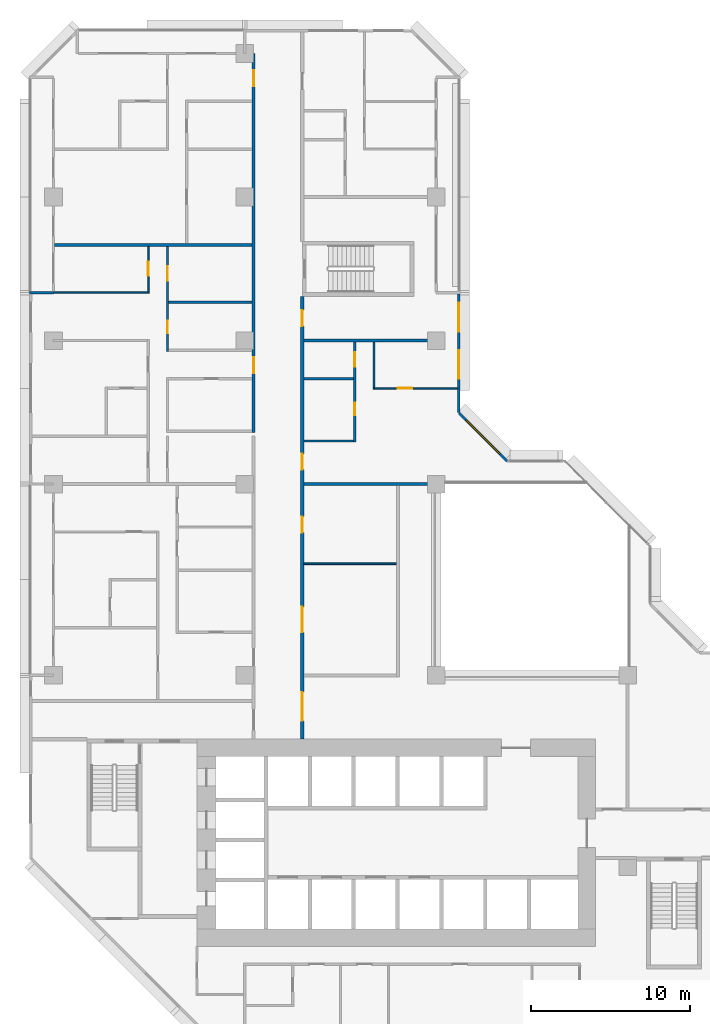
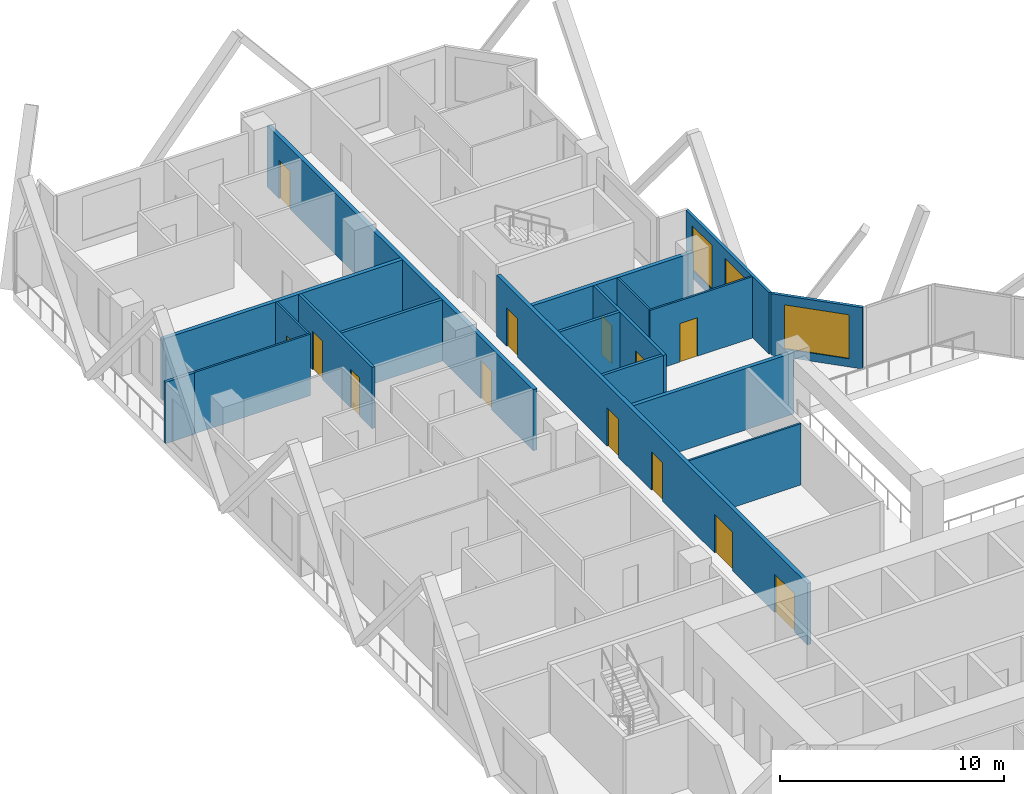
# One storey, part 9 of 15: 18 walls, 13 doors, 3 windows, 16 openings.
"""IFC4 building model written with IfcOpenShell, lengths in metres."""

from ifc_helpers import new_model, si_unit, direction, frame, frame_2d, origin, place, context, subcontext, project, spatial, rectangle, extrude, material, layer, layer_set, type_object, element, fill, save


model = new_model("IFC4")

# Units and contexts
model_context = context("Model", 3, precision=1e-05, world=origin(), true_north=direction((0.0, 1.0)))
body_context = subcontext(model_context, "Body", "Model", "MODEL_VIEW")
ifc_project = project(units=[si_unit("LENGTHUNIT", "METRE"), si_unit("AREAUNIT", "SQUARE_METRE"), si_unit("VOLUMEUNIT", "CUBIC_METRE"), si_unit("PLANEANGLEUNIT", "RADIAN"), si_unit("MASSUNIT", "GRAM", prefix="KILO")], contexts=[model_context])

# Site, building, storey
site_placement = place(None, origin())
site = spatial("IfcSite", under=ifc_project, at=site_placement, CompositionType="ELEMENT")
building_placement = place(site_placement, origin())
building = spatial("IfcBuilding", under=site, at=building_placement, Name="Chenar Terraces", CompositionType="ELEMENT")
storey_placement = place(building_placement, frame((0.0, 0.0, 48.89990234375)))
storey = spatial("IfcBuildingStorey", under=building, at=storey_placement, Name="L09", CompositionType="ELEMENT", Elevation=48.89990234375)

# Wall, openings, doors
ifc_material_1 = material(Name="Gypsum board on steel studs with fire boards", Category="steel")
ifc_layer_1 = layer(ifc_material_1, 0.199951171875)
ifc_layer_set_1 = layer_set([ifc_layer_1], Name="Gypsum board on steel studs with fire boards")
wall_type_1 = type_object("IfcWallType", Name="Corridor wall 200", PredefinedType="PARTITIONING", material=ifc_layer_set_1)
wall_1_placement = place(storey_placement, frame((12.550048828125, 39.22509765625, 0.0), z_axis=(0.0, 0.0, 1.0), x_axis=(0.0, 1.0, 0.0)))
wall_1 = element("IfcWall", 1, at=wall_1_placement, inside=storey, type_object=wall_type_1, Name="Partition L09-042", PredefinedType="PARTITIONING", context=body_context, shape_type="SweptSolid", body=[
    extrude(rectangle(XDim=23.77490234375, YDim=0.199951171875, at=frame_2d((11.887451171875, 0.0))), origin(), (0.0, 0.0, 1.0), 3.35009765625),
])
opening_1_placement = place(wall_1_placement, frame((3.72509765625, 0.0, 0.0)))
opening_1 = element("IfcOpeningElement", 2, at=opening_1_placement, cuts=wall_1, Name="Opening DL09-39", PredefinedType="OPENING", context=body_context, shape_type="SweptSolid", body=[
    extrude(rectangle(XDim=1.0, YDim=2.10009765625, at=frame_2d((0.5, 1.050048828125))), frame((0.0, 0.10986328125, 0.0), z_axis=(0.0, -1.0, 0.0), x_axis=(1.0, 0.0, 0.0)), (0.0, 0.0, 1.0), 0.219970703125),
])
opening_2_placement = place(wall_1_placement, frame((21.72509765625, 0.0, 0.0)))
opening_2 = element("IfcOpeningElement", 3, at=opening_2_placement, cuts=wall_1, Name="Opening DL09-45", PredefinedType="OPENING", context=body_context, shape_type="SweptSolid", body=[
    extrude(rectangle(XDim=1.0, YDim=2.10009765625, at=frame_2d((0.5, 1.050048828125))), frame((0.0, 0.10986328125, 0.0), z_axis=(0.0, -1.0, 0.0), x_axis=(1.0, 0.0, 0.0)), (0.0, 0.0, 1.0), 0.219970703125),
])
ifc_material_2 = material(Name="Steel-framed fire-resisting door leaf", Category="steel")
door_type_1 = type_object("IfcDoorType", Name="Fire door FD30S 1000 x 2100", OperationType="SINGLE_SWING_LEFT", PredefinedType="DOOR", material=ifc_material_2)
door_1_placement = place(opening_1_placement, origin())
door_1 = element("IfcDoor", 4, at=door_1_placement, inside=storey, type_object=door_type_1, Name="Door DL09-39", OperationType="SINGLE_SWING_LEFT", OverallHeight=2.10009765625, OverallWidth=1.0, PredefinedType="DOOR", context=body_context, shape_type="SweptSolid", body=[
    extrude(rectangle(XDim=1.0, YDim=2.10009765625, at=frame_2d((0.5, 1.050048828125))), frame((0.0, 0.02490234375, 0.0), z_axis=(0.0, -1.0, 0.0), x_axis=(1.0, 0.0, 0.0)), (0.0, 0.0, 1.0), 0.050048828125),
])
fill(opening_1, door_1)
door_2_placement = place(opening_2_placement, origin())
door_2 = element("IfcDoor", 5, at=door_2_placement, inside=storey, type_object=door_type_1, Name="Door DL09-45", OperationType="SINGLE_SWING_RIGHT", OverallHeight=2.10009765625, OverallWidth=1.0, PredefinedType="DOOR", context=body_context, shape_type="SweptSolid", body=[
    extrude(rectangle(XDim=1.0, YDim=2.10009765625, at=frame_2d((0.5, 1.050048828125))), frame((0.0, 0.02490234375, 0.0), z_axis=(0.0, -1.0, 0.0), x_axis=(1.0, 0.0, 0.0)), (0.0, 0.0, 1.0), 0.050048828125),
])
fill(opening_2, door_2)

wall_2_placement = place(storey_placement, frame((15.60009765625, 20.0, 0.0), z_axis=(0.0, 0.0, 1.0), x_axis=(0.0, 1.0, 0.0)))
wall_2 = element("IfcWall", 6, at=wall_2_placement, inside=storey, type_object=wall_type_1, Name="Partition L09-044", PredefinedType="PARTITIONING", context=body_context, shape_type="SweptSolid", body=[
    extrude(rectangle(XDim=27.77490234375, YDim=0.199951171875, at=frame_2d((13.887451171875, 0.0))), origin(), (0.0, 0.0, 1.0), 3.35009765625),
])
opening_3_placement = place(wall_2_placement, frame((6.699951171875, 0.0, 0.0)))
opening_3 = element("IfcOpeningElement", 7, at=opening_3_placement, cuts=wall_2, Name="Opening DL09-1", PredefinedType="OPENING", context=body_context, shape_type="SweptSolid", body=[
    extrude(rectangle(XDim=1.60009765625, YDim=2.10009765625, at=frame_2d((0.800048828125, 1.050048828125))), frame((0.0, 0.10986328125, 0.0), z_axis=(0.0, -1.0, 0.0), x_axis=(1.0, 0.0, 0.0)), (0.0, 0.0, 1.0), 0.219970703125),
])
opening_4_placement = place(wall_2_placement, frame((12.949951171875, 0.0, 0.0)))
opening_4 = element("IfcOpeningElement", 8, at=opening_4_placement, cuts=wall_2, Name="Opening DL09-2", PredefinedType="OPENING", context=body_context, shape_type="SweptSolid", body=[
    extrude(rectangle(XDim=1.0, YDim=2.10009765625, at=frame_2d((0.5, 1.050048828125))), frame((0.0, 0.10986328125, 0.0), z_axis=(0.0, -1.0, 0.0), x_axis=(1.0, 0.0, 0.0)), (0.0, 0.0, 1.0), 0.219970703125),
])
opening_5_placement = place(wall_2_placement, frame((16.89990234375, 0.0, 0.0)))
opening_5 = element("IfcOpeningElement", 9, at=opening_5_placement, cuts=wall_2, Name="Opening DL09-26", PredefinedType="OPENING", context=body_context, shape_type="SweptSolid", body=[
    extrude(rectangle(XDim=1.0, YDim=2.10009765625, at=frame_2d((0.5, 1.050048828125))), frame((0.0, 0.10986328125, 0.0), z_axis=(0.0, -1.0, 0.0), x_axis=(1.0, 0.0, 0.0)), (0.0, 0.0, 1.0), 0.219970703125),
])
opening_6_placement = place(wall_2_placement, frame((1.14990234375, 0.0, 0.0)))
opening_6 = element("IfcOpeningElement", 10, at=opening_6_placement, cuts=wall_2, Name="Opening DL09-47", PredefinedType="OPENING", context=body_context, shape_type="SweptSolid", body=[
    extrude(rectangle(XDim=1.800048828125, YDim=2.10009765625, at=frame_2d((0.89990234375, 1.050048828125))), frame((0.0, 0.10986328125, 0.0), z_axis=(0.0, -1.0, 0.0), x_axis=(1.0, 0.0, 0.0)), (0.0, 0.0, 1.0), 0.219970703125),
])
opening_7_placement = place(wall_2_placement, frame((25.89990234375, 0.0, 0.0)))
opening_7 = element("IfcOpeningElement", 11, at=opening_7_placement, cuts=wall_2, Name="Opening DL09-50", PredefinedType="OPENING", context=body_context, shape_type="SweptSolid", body=[
    extrude(rectangle(XDim=1.0, YDim=2.10009765625, at=frame_2d((0.5, 1.050048828125))), frame((0.0, 0.10986328125, 0.0), z_axis=(0.0, -1.0, 0.0), x_axis=(1.0, 0.0, 0.0)), (0.0, 0.0, 1.0), 0.219970703125),
])
ifc_material_3 = material(Name="Steel-framed fire-resisting door leaf", Category="steel")
door_type_2 = type_object("IfcDoorType", Name="Fire door FD60 1000 x 2100", OperationType="SINGLE_SWING_LEFT", PredefinedType="DOOR", material=ifc_material_3)
door_3_placement = place(opening_4_placement, frame((1.0, 0.0, 0.0), z_axis=(0.0, 0.0, 1.0), x_axis=(-1.0, 0.0, 0.0)))
door_3 = element("IfcDoor", 12, at=door_3_placement, inside=storey, type_object=door_type_2, Name="Door DL09-2", OperationType="SINGLE_SWING_LEFT", OverallHeight=2.10009765625, OverallWidth=1.0, PredefinedType="DOOR", context=body_context, shape_type="SweptSolid", body=[
    extrude(rectangle(XDim=1.0, YDim=2.10009765625, at=frame_2d((0.5, 1.050048828125))), frame((0.0, 0.02490234375, 0.0), z_axis=(0.0, -1.0, 0.0), x_axis=(1.0, 0.0, 0.0)), (0.0, 0.0, 1.0), 0.050048828125),
])
fill(opening_4, door_3)
door_4_placement = place(opening_5_placement, frame((1.0, 0.0, 0.0), z_axis=(0.0, 0.0, 1.0), x_axis=(-1.0, 0.0, 0.0)))
door_4 = element("IfcDoor", 13, at=door_4_placement, inside=storey, type_object=door_type_2, Name="Door DL09-26", OperationType="SINGLE_SWING_LEFT", OverallHeight=2.10009765625, OverallWidth=1.0, PredefinedType="DOOR", context=body_context, shape_type="SweptSolid", body=[
    extrude(rectangle(XDim=1.0, YDim=2.10009765625, at=frame_2d((0.5, 1.050048828125))), frame((0.0, 0.02490234375, 0.0), z_axis=(0.0, -1.0, 0.0), x_axis=(1.0, 0.0, 0.0)), (0.0, 0.0, 1.0), 0.050048828125),
])
fill(opening_5, door_4)
door_5_placement = place(opening_7_placement, frame((1.0, 0.0, 0.0), z_axis=(0.0, 0.0, 1.0), x_axis=(-1.0, 0.0, 0.0)))
door_5 = element("IfcDoor", 14, at=door_5_placement, inside=storey, type_object=door_type_2, Name="Door DL09-50", OperationType="SINGLE_SWING_RIGHT", OverallHeight=2.10009765625, OverallWidth=1.0, PredefinedType="DOOR", context=body_context, shape_type="SweptSolid", body=[
    extrude(rectangle(XDim=1.0, YDim=2.10009765625, at=frame_2d((0.5, 1.050048828125))), frame((0.0, 0.02490234375, 0.0), z_axis=(0.0, -1.0, 0.0), x_axis=(1.0, 0.0, 0.0)), (0.0, 0.0, 1.0), 0.050048828125),
])
fill(opening_7, door_5)
ifc_material_4 = material(Name="Steel-framed fire-resisting door leaf", Category="steel")
door_type_3 = type_object("IfcDoorType", Name="Fire double door FD60 1600 x 2100", OperationType="DOUBLE_DOOR_SINGLE_SWING", PredefinedType="DOOR", material=ifc_material_4)
door_6_placement = place(opening_3_placement, frame((1.60009765625, 0.0, 0.0), z_axis=(0.0, 0.0, 1.0), x_axis=(-1.0, 0.0, 0.0)))
door_6 = element("IfcDoor", 15, at=door_6_placement, inside=storey, type_object=door_type_3, Name="Door DL09-1", OperationType="DOUBLE_DOOR_SINGLE_SWING", OverallHeight=2.10009765625, OverallWidth=1.60009765625, PredefinedType="DOOR", context=body_context, shape_type="SweptSolid", body=[
    extrude(rectangle(XDim=1.60009765625, YDim=2.10009765625, at=frame_2d((0.800048828125, 1.050048828125))), frame((0.0, 0.02490234375, 0.0), z_axis=(0.0, -1.0, 0.0), x_axis=(1.0, 0.0, 0.0)), (0.0, 0.0, 1.0), 0.050048828125),
])
fill(opening_3, door_6)
ifc_material_5 = material(Name="Steel-framed fire-resisting door leaf", Category="steel")
door_type_4 = type_object("IfcDoorType", Name="Fire double door FD60 1800 x 2100", OperationType="DOUBLE_DOOR_SINGLE_SWING", PredefinedType="DOOR", material=ifc_material_5)
door_7_placement = place(opening_6_placement, frame((1.800048828125, 0.0, 0.0), z_axis=(0.0, 0.0, 1.0), x_axis=(-1.0, 0.0, 0.0)))
door_7 = element("IfcDoor", 16, at=door_7_placement, inside=storey, type_object=door_type_4, Name="Door DL09-47", OperationType="DOUBLE_DOOR_SINGLE_SWING", OverallHeight=2.10009765625, OverallWidth=1.800048828125, PredefinedType="DOOR", context=body_context, shape_type="SweptSolid", body=[
    extrude(rectangle(XDim=1.800048828125, YDim=2.10009765625, at=frame_2d((0.89990234375, 1.050048828125))), frame((0.0, 0.02490234375, 0.0), z_axis=(0.0, -1.0, 0.0), x_axis=(1.0, 0.0, 0.0)), (0.0, 0.0, 1.0), 0.050048828125),
])
fill(opening_6, door_7)

# Wall, openings, windows
ifc_material_6 = material(Name="Aluminium framed glazing", Category="aluminium")
ifc_layer_2 = layer(ifc_material_6, 0.14990234375)
ifc_layer_set_2 = layer_set([ifc_layer_2], Name="Aluminium framed glazing")
wall_type_2 = type_object("IfcWallType", Name="Glazed flush facade wall 150", PredefinedType="SOLIDWALL", material=ifc_layer_set_2)
wall_3_placement = place(storey_placement, frame((25.425048828125, 40.5, 0.0), z_axis=(0.0, 0.0, 1.0), x_axis=(0.0, 1.0, 0.0)))
wall_3 = element("IfcWall", 17, at=wall_3_placement, inside=storey, type_object=wall_type_2, Name="Glazed flush facade wall", PredefinedType="SOLIDWALL", context=body_context, shape_type="SweptSolid", body=[
    extrude(rectangle(XDim=7.425048828125, YDim=0.14990234375, at=frame_2d((3.71240234375, 0.0))), origin(), (0.0, 0.0, 1.0), 3.35009765625),
])
opening_8_placement = place(wall_3_placement, frame((2.10009765625, 0.0, 0.449951171875)))
opening_8 = element("IfcOpeningElement", 18, at=opening_8_placement, cuts=wall_3, Name="Opening W180x240", PredefinedType="OPENING", context=body_context, shape_type="SweptSolid", body=[
    extrude(rectangle(XDim=1.800048828125, YDim=2.39990234375, at=frame_2d((0.89990234375, 1.199951171875))), frame((0.0, 0.0849609375, 0.0), z_axis=(0.0, -1.0, 0.0), x_axis=(1.0, 0.0, 0.0)), (0.0, 0.0, 1.0), 0.169921875),
])
opening_9_placement = place(wall_3_placement, frame((5.0625, 0.0, 0.449951171875)))
opening_9 = element("IfcOpeningElement", 19, at=opening_9_placement, cuts=wall_3, Name="Opening W180x240", PredefinedType="OPENING", context=body_context, shape_type="SweptSolid", body=[
    extrude(rectangle(XDim=1.800048828125, YDim=2.39990234375, at=frame_2d((0.89990234375, 1.199951171875))), frame((0.0, 0.0849609375, 0.0), z_axis=(0.0, -1.0, 0.0), x_axis=(1.0, 0.0, 0.0)), (0.0, 0.0, 1.0), 0.169921875),
])
ifc_material_7 = material(Name="Low emissivity double glazing, aluminium frame", Category="aluminium")
window_type_1 = type_object("IfcWindowType", Name="Fixed light 1800 x 2400", PartitioningType="SINGLE_PANEL", PredefinedType="WINDOW", material=ifc_material_7)
window_1_placement = place(opening_8_placement, origin())
window_1 = element("IfcWindow", 20, at=window_1_placement, inside=storey, type_object=window_type_1, Name="Window", OverallHeight=2.39990234375, OverallWidth=1.800048828125, PartitioningType="SINGLE_PANEL", PredefinedType="WINDOW", context=body_context, shape_type="SweptSolid", body=[
    extrude(rectangle(XDim=1.800048828125, YDim=2.39990234375, at=frame_2d((0.89990234375, 1.199951171875))), frame((0.0, 0.030029296875, 0.0), z_axis=(0.0, -1.0, 0.0), x_axis=(1.0, 0.0, 0.0)), (0.0, 0.0, 1.0), 0.06005859375),
])
fill(opening_8, window_1)
window_2_placement = place(opening_9_placement, origin())
window_2 = element("IfcWindow", 21, at=window_2_placement, inside=storey, type_object=window_type_1, Name="Window", OverallHeight=2.39990234375, OverallWidth=1.800048828125, PartitioningType="SINGLE_PANEL", PredefinedType="WINDOW", context=body_context, shape_type="SweptSolid", body=[
    extrude(rectangle(XDim=1.800048828125, YDim=2.39990234375, at=frame_2d((0.89990234375, 1.199951171875))), frame((0.0, 0.030029296875, 0.0), z_axis=(0.0, -1.0, 0.0), x_axis=(1.0, 0.0, 0.0)), (0.0, 0.0, 1.0), 0.06005859375),
])
fill(opening_9, window_2)

# Wall
ifc_material_8 = material(Name="Gypsum board on steel studs", Category="steel")
ifc_layer_3 = layer(ifc_material_8, 0.10009765625)
ifc_layer_set_3 = layer_set([ifc_layer_3], Name="Gypsum board on steel studs")
wall_type_3 = type_object("IfcWallType", Name="Gypsum partition 100", PredefinedType="PARTITIONING", material=ifc_layer_set_3)
wall_4_placement = place(storey_placement, frame((0.0, 48.0, 0.0), z_axis=(0.0, 0.0, 1.0), x_axis=(1.0, 0.0, 0.0)))
element("IfcWall", 22, at=wall_4_placement, inside=storey, type_object=wall_type_3, Name="Partition L09-006", PredefinedType="PARTITIONING", context=body_context, shape_type="SweptSolid", body=[
    extrude(rectangle(XDim=6.0, YDim=0.10009765625, at=frame_2d((3.0, 0.0))), origin(), (0.0, 0.0, 1.0), 3.35009765625),
])

# Wall, opening, door
wall_5_placement = place(storey_placement, frame((5.949951171875, 48.050048828125, 0.0), z_axis=(0.0, 0.0, 1.0), x_axis=(0.0, 1.0, 0.0)))
wall_5 = element("IfcWall", 23, at=wall_5_placement, inside=storey, type_object=wall_type_3, Name="Partition L09-019", PredefinedType="PARTITIONING", context=body_context, shape_type="SweptSolid", body=[
    extrude(rectangle(XDim=2.849853515625, YDim=0.10009765625, at=frame_2d((1.4248046875, 0.0))), origin(), (0.0, 0.0, 1.0), 3.35009765625),
])
opening_10_placement = place(wall_5_placement, frame((1.0, 0.0, 0.0)))
opening_10 = element("IfcOpeningElement", 24, at=opening_10_placement, cuts=wall_5, Name="Opening DL09-34", PredefinedType="OPENING", context=body_context, shape_type="SweptSolid", body=[
    extrude(rectangle(XDim=0.89990234375, YDim=2.10009765625, at=frame_2d((0.449951171875, 1.050048828125))), frame((0.0, 0.06005859375, 0.0), z_axis=(0.0, -1.0, 0.0), x_axis=(1.0, 0.0, 0.0)), (0.0, 0.0, 1.0), 0.1201171875),
])
ifc_material_9 = material(Name="Veneered timber door leaf", Category="wood")
door_type_5 = type_object("IfcDoorType", Name="Door 900 x 2100", OperationType="SINGLE_SWING_LEFT", PredefinedType="DOOR", material=ifc_material_9)
door_8_placement = place(opening_10_placement, origin())
door_8 = element("IfcDoor", 25, at=door_8_placement, inside=storey, type_object=door_type_5, Name="Door DL09-34", OperationType="SINGLE_SWING_RIGHT", OverallHeight=2.10009765625, OverallWidth=0.89990234375, PredefinedType="DOOR", context=body_context, shape_type="SweptSolid", body=[
    extrude(rectangle(XDim=0.89990234375, YDim=2.10009765625, at=frame_2d((0.449951171875, 1.050048828125))), frame((0.0, 0.02490234375, 0.0), z_axis=(0.0, -1.0, 0.0), x_axis=(1.0, 0.0, 0.0)), (0.0, 0.0, 1.0), 0.050048828125),
])
fill(opening_10, door_8)

# Wall
wall_6_placement = place(storey_placement, frame((15.699951171875, 31.0, 0.0), z_axis=(0.0, 0.0, 1.0), x_axis=(1.0, 0.0, 0.0)))
element("IfcWall", 26, at=wall_6_placement, inside=storey, type_object=wall_type_3, Name="Partition L09-047", PredefinedType="PARTITIONING", context=body_context, shape_type="SweptSolid", body=[
    extrude(rectangle(XDim=5.800048828125, YDim=0.10009765625, at=frame_2d((2.89990234375, 0.0))), origin(), (0.0, 0.0, 1.0), 3.35009765625),
])

# Wall, opening, door
wall_7_placement = place(storey_placement, frame((20.050048828125, 42.0, 0.0), z_axis=(0.0, 0.0, 1.0), x_axis=(1.0, 0.0, 0.0)))
wall_7 = element("IfcWall", 27, at=wall_7_placement, inside=storey, type_object=wall_type_3, Name="Partition L09-061", PredefinedType="PARTITIONING", context=body_context, shape_type="SweptSolid", body=[
    extrude(rectangle(XDim=5.300048828125, YDim=0.10009765625, at=frame_2d((2.64990234375, 0.0))), origin(), (0.0, 0.0, 1.0), 3.35009765625),
])
opening_11_placement = place(wall_7_placement, frame((1.550048828125, 0.0, 0.0)))
opening_11 = element("IfcOpeningElement", 28, at=opening_11_placement, cuts=wall_7, Name="Opening DL09-24", PredefinedType="OPENING", context=body_context, shape_type="SweptSolid", body=[
    extrude(rectangle(XDim=0.89990234375, YDim=2.10009765625, at=frame_2d((0.449951171875, 1.050048828125))), frame((0.0, 0.06005859375, 0.0), z_axis=(0.0, -1.0, 0.0), x_axis=(1.0, 0.0, 0.0)), (0.0, 0.0, 1.0), 0.1201171875),
])
door_9_placement = place(opening_11_placement, origin())
door_9 = element("IfcDoor", 29, at=door_9_placement, inside=storey, type_object=door_type_5, Name="Door DL09-24", OperationType="SINGLE_SWING_LEFT", OverallHeight=2.10009765625, OverallWidth=0.89990234375, PredefinedType="DOOR", context=body_context, shape_type="SweptSolid", body=[
    extrude(rectangle(XDim=0.89990234375, YDim=2.10009765625, at=frame_2d((0.449951171875, 1.050048828125))), frame((0.0, 0.02490234375, 0.0), z_axis=(0.0, -1.0, 0.0), x_axis=(1.0, 0.0, 0.0)), (0.0, 0.0, 1.0), 0.050048828125),
])
fill(opening_11, door_9)

# Walls
wall_8_placement = place(storey_placement, frame((20.10009765625, 42.050048828125, 0.0), z_axis=(0.0, 0.0, 1.0), x_axis=(0.0, 1.0, 0.0)))
element("IfcWall", 30, at=wall_8_placement, inside=storey, type_object=wall_type_3, Name="Partition L09-062", PredefinedType="PARTITIONING", context=body_context, shape_type="SweptSolid", body=[
    extrude(rectangle(XDim=2.849853515625, YDim=0.10009765625, at=frame_2d((1.4248046875, 0.0))), origin(), (0.0, 0.0, 1.0), 3.35009765625),
])
ifc_material_10 = material(Name="Terracotta cladding on insulated backing", Category="masonry")
ifc_layer_4 = layer(ifc_material_10, 0.14990234375)
ifc_layer_set_4 = layer_set([ifc_layer_4], Name="Terracotta cladding on insulated backing")
wall_type_4 = type_object("IfcWallType", Name="Loggia return wall 150", PredefinedType="SOLIDWALL", material=ifc_layer_set_4)
wall_9_placement = place(storey_placement, frame((-1.5, 48.0, 0.0), z_axis=(0.0, 0.0, 1.0), x_axis=(1.0, 0.0, 0.0)))
element("IfcWall", 31, at=wall_9_placement, inside=storey, type_object=wall_type_4, Name="Loggia return wall", PredefinedType="SOLIDWALL", context=body_context, shape_type="SweptSolid", body=[
    extrude(rectangle(XDim=1.5, YDim=0.14990234375, at=frame_2d((0.75, 0.0))), origin(), (0.0, 0.0, 1.0), 3.35009765625),
])

# Wall, opening, window
ifc_material_11 = material(Name="Terracotta cladding on insulated backing", Category="masonry")
ifc_layer_5 = layer(ifc_material_11, 0.14990234375)
ifc_layer_set_5 = layer_set([ifc_layer_5], Name="Terracotta cladding on insulated backing")
wall_type_5 = type_object("IfcWallType", Name="Terracotta rainscreen wall 150", PredefinedType="SOLIDWALL", material=ifc_layer_set_5)
wall_10_placement = place(storey_placement, frame((28.447021484375, 37.447021484375, 0.0), z_axis=(0.0, 0.0, 1.0), x_axis=(-0.707106781187, 0.707106781187, 0.0)))
wall_10 = element("IfcWall", 32, at=wall_10_placement, inside=storey, type_object=wall_type_5, Name="Terracotta rainscreen wall", PredefinedType="SOLIDWALL", context=body_context, shape_type="SweptSolid", body=[
    extrude(rectangle(XDim=4.24267578125, YDim=0.14990234375, at=frame_2d((2.121337890625, 0.0))), origin(), (0.0, 0.0, 1.0), 3.35009765625),
])
opening_12_placement = place(wall_10_placement, frame((0.621337890625, 0.0, 0.449951171875)))
opening_12 = element("IfcOpeningElement", 33, at=opening_12_placement, cuts=wall_10, Name="Opening W300x240", PredefinedType="OPENING", context=body_context, shape_type="SweptSolid", body=[
    extrude(rectangle(XDim=3.0, YDim=2.39990234375, at=frame_2d((1.5, 1.199951171875))), frame((0.0, 0.0849609375, 0.0), z_axis=(0.0, -1.0, 0.0), x_axis=(1.0, 0.0, 0.0)), (0.0, 0.0, 1.0), 0.169921875),
])
ifc_material_12 = material(Name="Low emissivity double glazing, aluminium frame", Category="aluminium")
window_type_2 = type_object("IfcWindowType", Name="Fixed light 3000 x 2400", PartitioningType="SINGLE_PANEL", PredefinedType="WINDOW", material=ifc_material_12)
window_3_placement = place(opening_12_placement, origin())
window_3 = element("IfcWindow", 34, at=window_3_placement, inside=storey, type_object=window_type_2, Name="Window", OverallHeight=2.39990234375, OverallWidth=3.0, PartitioningType="SINGLE_PANEL", PredefinedType="WINDOW", context=body_context, shape_type="SweptSolid", body=[
    extrude(rectangle(XDim=3.0, YDim=2.39990234375, at=frame_2d((1.5, 1.199951171875))), frame((0.0, 0.030029296875, 0.0), z_axis=(0.0, -1.0, 0.0), x_axis=(1.0, 0.0, 0.0)), (0.0, 0.0, 1.0), 0.06005859375),
])
fill(opening_12, window_3)

# Walls
ifc_material_13 = material(Name="Twin gypsum board on steel studs with mineral wool", Category="steel")
ifc_layer_6 = layer(ifc_material_13, 0.199951171875)
ifc_layer_set_6 = layer_set([ifc_layer_6], Name="Twin gypsum board on steel studs with mineral wool")
wall_type_6 = type_object("IfcWallType", Name="Unit demising wall 200", PredefinedType="PARTITIONING", material=ifc_layer_set_6)
wall_11_placement = place(storey_placement, frame((0.073974609375, 51.0, 0.0), z_axis=(0.0, 0.0, 1.0), x_axis=(1.0, 0.0, 0.0)))
element("IfcWall", 35, at=wall_11_placement, inside=storey, type_object=wall_type_6, Name="Partition L09-009", PredefinedType="PARTITIONING", context=body_context, shape_type="SweptSolid", body=[
    extrude(rectangle(XDim=12.3759765625, YDim=0.199951171875, at=frame_2d((6.18798828125, 0.0))), origin(), (0.0, 0.0, 1.0), 3.35009765625),
])
for number, where, z_axis, x_axis, name in (
    (36, (15.699951171875, 36.0, 0.0), (0.0, 0.0, 1.0), (1.0, 0.0, 0.0), "Partition L09-048"),
    (37, (15.699951171875, 45.0, 0.0), (0.0, 0.0, 1.0), (1.0, 0.0, 0.0), "Partition L09-051"),
):
    element("IfcWall", number, at=place(storey_placement, frame(where, z_axis=z_axis, x_axis=x_axis)), inside=storey, type_object=wall_type_6, Name=name, PredefinedType="PARTITIONING", context=body_context, shape_type="SweptSolid", body=[
        extrude(rectangle(XDim=8.300048828125, YDim=0.199951171875, at=frame_2d((4.14990234375, 0.0))), origin(), (0.0, 0.0, 1.0), 3.35009765625),
    ])

# Wall, openings, doors
ifc_material_14 = material(Name="Moisture-resistant gypsum board on steel studs", Category="steel")
ifc_layer_7 = layer(ifc_material_14, 0.14990234375)
ifc_layer_set_7 = layer_set([ifc_layer_7], Name="Moisture-resistant gypsum board on steel studs")
wall_type_7 = type_object("IfcWallType", Name="Wet-room partition 150", PredefinedType="PARTITIONING", material=ifc_layer_set_7)
wall_12_placement = place(storey_placement, frame((7.14990234375, 44.324951171875, 0.0), z_axis=(0.0, 0.0, 1.0), x_axis=(0.0, 1.0, 0.0)))
wall_12 = element("IfcWall", 38, at=wall_12_placement, inside=storey, type_object=wall_type_7, Name="Partition L09-025", PredefinedType="PARTITIONING", context=body_context, shape_type="SweptSolid", body=[
    extrude(rectangle(XDim=6.574951171875, YDim=0.14990234375, at=frame_2d((3.28759765625, 0.0))), origin(), (0.0, 0.0, 1.0), 3.35009765625),
])
opening_13_placement = place(wall_12_placement, frame((4.425048828125, 0.0, 0.0)))
opening_13 = element("IfcOpeningElement", 39, at=opening_13_placement, cuts=wall_12, Name="Opening DL09-37", PredefinedType="OPENING", context=body_context, shape_type="SweptSolid", body=[
    extrude(rectangle(XDim=0.89990234375, YDim=2.10009765625, at=frame_2d((0.449951171875, 1.050048828125))), frame((0.0, 0.0849609375, 0.0), z_axis=(0.0, -1.0, 0.0), x_axis=(1.0, 0.0, 0.0)), (0.0, 0.0, 1.0), 0.169921875),
])
opening_14_placement = place(wall_12_placement, frame((1.125, 0.0, 0.0)))
opening_14 = element("IfcOpeningElement", 40, at=opening_14_placement, cuts=wall_12, Name="Opening DL09-38", PredefinedType="OPENING", context=body_context, shape_type="SweptSolid", body=[
    extrude(rectangle(XDim=0.800048828125, YDim=2.10009765625, at=frame_2d((0.39990234375, 1.050048828125))), frame((0.0, 0.0849609375, 0.0), z_axis=(0.0, -1.0, 0.0), x_axis=(1.0, 0.0, 0.0)), (0.0, 0.0, 1.0), 0.169921875),
])
ifc_material_15 = material(Name="Veneered timber door leaf", Category="wood")
door_type_6 = type_object("IfcDoorType", Name="Door 800 x 2100", OperationType="SINGLE_SWING_LEFT", PredefinedType="DOOR", material=ifc_material_15)
door_10_placement = place(opening_14_placement, frame((0.800048828125, 0.0, 0.0), z_axis=(0.0, 0.0, 1.0), x_axis=(-1.0, 0.0, 0.0)))
door_10 = element("IfcDoor", 41, at=door_10_placement, inside=storey, type_object=door_type_6, Name="Door DL09-38", OperationType="SINGLE_SWING_RIGHT", OverallHeight=2.10009765625, OverallWidth=0.800048828125, PredefinedType="DOOR", context=body_context, shape_type="SweptSolid", body=[
    extrude(rectangle(XDim=0.800048828125, YDim=2.10009765625, at=frame_2d((0.39990234375, 1.050048828125))), frame((0.0, 0.02490234375, 0.0), z_axis=(0.0, -1.0, 0.0), x_axis=(1.0, 0.0, 0.0)), (0.0, 0.0, 1.0), 0.050048828125),
])
fill(opening_14, door_10)
door_11_placement = place(opening_13_placement, frame((0.89990234375, 0.0, 0.0), z_axis=(0.0, 0.0, 1.0), x_axis=(-1.0, 0.0, 0.0)))
door_11 = element("IfcDoor", 42, at=door_11_placement, inside=storey, type_object=door_type_5, Name="Door DL09-37", OperationType="SINGLE_SWING_LEFT", OverallHeight=2.10009765625, OverallWidth=0.89990234375, PredefinedType="DOOR", context=body_context, shape_type="SweptSolid", body=[
    extrude(rectangle(XDim=0.89990234375, YDim=2.10009765625, at=frame_2d((0.449951171875, 1.050048828125))), frame((0.0, 0.02490234375, 0.0), z_axis=(0.0, -1.0, 0.0), x_axis=(1.0, 0.0, 0.0)), (0.0, 0.0, 1.0), 0.050048828125),
])
fill(opening_13, door_11)

# Walls
wall_13_placement = place(storey_placement, frame((7.22509765625, 47.39990234375, 0.0), z_axis=(0.0, 0.0, 1.0), x_axis=(1.0, 0.0, 0.0)))
element("IfcWall", 43, at=wall_13_placement, inside=storey, type_object=wall_type_7, Name="Partition L09-028", PredefinedType="PARTITIONING", context=body_context, shape_type="SweptSolid", body=[
    extrude(rectangle(XDim=5.224853515625, YDim=0.14990234375, at=frame_2d((2.6123046875, 0.0))), origin(), (0.0, 0.0, 1.0), 3.35009765625),
])
for number, where, z_axis, x_axis, name in (
    (44, (15.699951171875, 38.699951171875, 0.0), (0.0, 0.0, 1.0), (1.0, 0.0, 0.0), "Partition L09-049"),
    (45, (15.699951171875, 42.60009765625, 0.0), (0.0, 0.0, 1.0), (1.0, 0.0, 0.0), "Partition L09-050"),
):
    element("IfcWall", number, at=place(storey_placement, frame(where, z_axis=z_axis, x_axis=x_axis)), inside=storey, type_object=wall_type_7, Name=name, PredefinedType="PARTITIONING", context=body_context, shape_type="SweptSolid", body=[
        extrude(rectangle(XDim=3.125, YDim=0.14990234375, at=frame_2d((1.5625, 0.0))), origin(), (0.0, 0.0, 1.0), 3.35009765625),
    ])

# Wall, openings, doors
wall_14_placement = place(storey_placement, frame((18.89990234375, 38.625, 0.0), z_axis=(0.0, 0.0, 1.0), x_axis=(0.0, 1.0, 0.0)))
wall_14 = element("IfcWall", 46, at=wall_14_placement, inside=storey, type_object=wall_type_7, Name="Partition L09-057", PredefinedType="PARTITIONING", context=body_context, shape_type="SweptSolid", body=[
    extrude(rectangle(XDim=6.27490234375, YDim=0.14990234375, at=frame_2d((3.137451171875, 0.0))), origin(), (0.0, 0.0, 1.0), 3.35009765625),
])
opening_15_placement = place(wall_14_placement, frame((1.675048828125, 0.0, 0.0)))
opening_15 = element("IfcOpeningElement", 47, at=opening_15_placement, cuts=wall_14, Name="Opening DL09-23", PredefinedType="OPENING", context=body_context, shape_type="SweptSolid", body=[
    extrude(rectangle(XDim=0.800048828125, YDim=2.10009765625, at=frame_2d((0.39990234375, 1.050048828125))), frame((0.0, 0.0849609375, 0.0), z_axis=(0.0, -1.0, 0.0), x_axis=(1.0, 0.0, 0.0)), (0.0, 0.0, 1.0), 0.169921875),
])
opening_16_placement = place(wall_14_placement, frame((4.72509765625, 0.0, 0.0)))
opening_16 = element("IfcOpeningElement", 48, at=opening_16_placement, cuts=wall_14, Name="Opening DL09-25", PredefinedType="OPENING", context=body_context, shape_type="SweptSolid", body=[
    extrude(rectangle(XDim=0.89990234375, YDim=2.10009765625, at=frame_2d((0.449951171875, 1.050048828125))), frame((0.0, 0.0849609375, 0.0), z_axis=(0.0, -1.0, 0.0), x_axis=(1.0, 0.0, 0.0)), (0.0, 0.0, 1.0), 0.169921875),
])
door_12_placement = place(opening_15_placement, origin())
door_12 = element("IfcDoor", 49, at=door_12_placement, inside=storey, type_object=door_type_6, Name="Door DL09-23", OperationType="SINGLE_SWING_RIGHT", OverallHeight=2.10009765625, OverallWidth=0.800048828125, PredefinedType="DOOR", context=body_context, shape_type="SweptSolid", body=[
    extrude(rectangle(XDim=0.800048828125, YDim=2.10009765625, at=frame_2d((0.39990234375, 1.050048828125))), frame((0.0, 0.02490234375, 0.0), z_axis=(0.0, -1.0, 0.0), x_axis=(1.0, 0.0, 0.0)), (0.0, 0.0, 1.0), 0.050048828125),
])
fill(opening_15, door_12)
door_13_placement = place(opening_16_placement, origin())
door_13 = element("IfcDoor", 50, at=door_13_placement, inside=storey, type_object=door_type_5, Name="Door DL09-25", OperationType="SINGLE_SWING_LEFT", OverallHeight=2.10009765625, OverallWidth=0.89990234375, PredefinedType="DOOR", context=body_context, shape_type="SweptSolid", body=[
    extrude(rectangle(XDim=0.89990234375, YDim=2.10009765625, at=frame_2d((0.449951171875, 1.050048828125))), frame((0.0, 0.02490234375, 0.0), z_axis=(0.0, -1.0, 0.0), x_axis=(1.0, 0.0, 0.0)), (0.0, 0.0, 1.0), 0.050048828125),
])
fill(opening_16, door_13)

save(model, "model.ifc")
